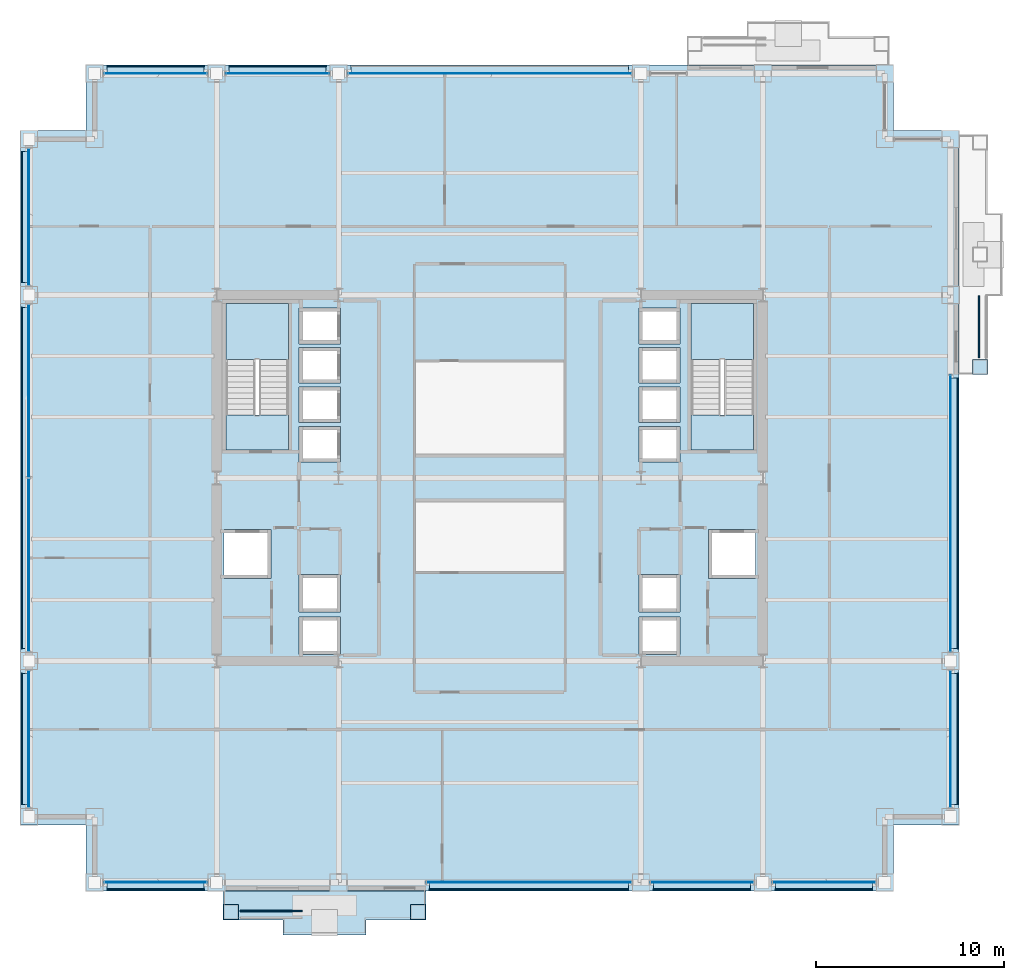
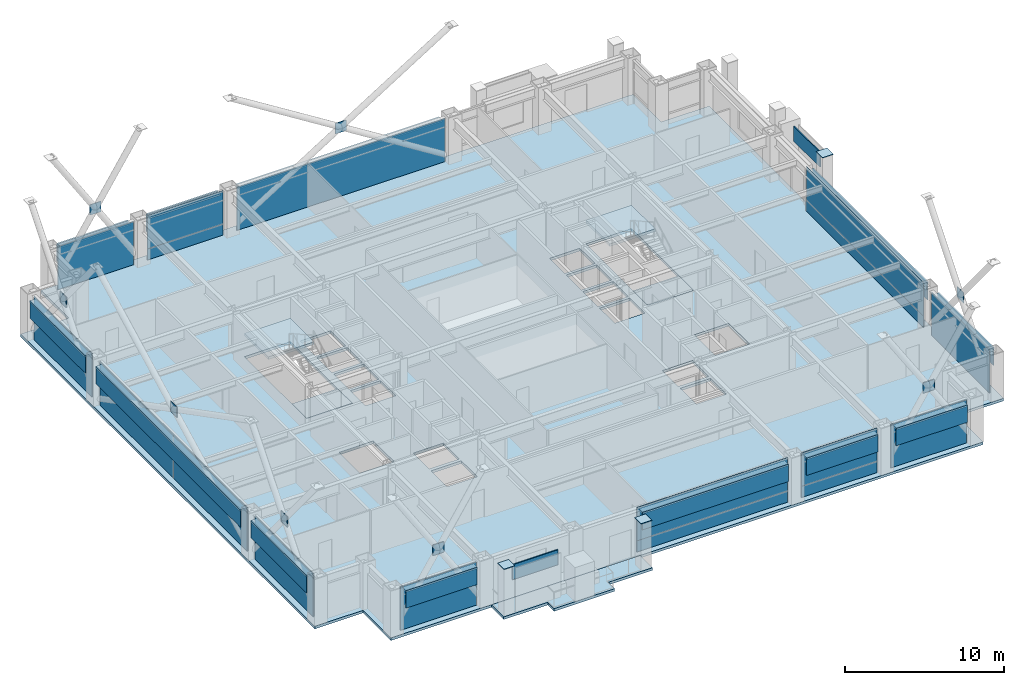
# One storey, part 25 of 33: 53 plates, 6 slabs, 14 elements without a shape of their own.
"""IFC4 building model written with IfcOpenShell, lengths in metres."""

from ifc_helpers import new_model, si_unit, direction, frame, origin, origin_2d, place, context, subcontext, project, spatial, polyline, rectangle, outline, extrude, material, layer, layer_set, type_object, element, aggregate, save


model = new_model("IFC4")

# Units and contexts
model_context = context("Model", 3, precision=1e-05, world=origin(), true_north=direction((0.0, 1.0)))
body_context = subcontext(model_context, "Body", "Model", "MODEL_VIEW")
ifc_project = project(units=[si_unit("LENGTHUNIT", "METRE"), si_unit("AREAUNIT", "SQUARE_METRE"), si_unit("VOLUMEUNIT", "CUBIC_METRE"), si_unit("PLANEANGLEUNIT", "RADIAN"), si_unit("MASSUNIT", "GRAM", prefix="KILO")], contexts=[model_context])

# Site, building, storey
site_placement = place(None, origin())
site = spatial("IfcSite", under=ifc_project, at=site_placement, CompositionType="ELEMENT")
building_placement = place(site_placement, origin())
building = spatial("IfcBuilding", under=site, at=building_placement, Name="Brelmoor Portico Tower", CompositionType="ELEMENT")
storey_placement = place(building_placement, frame((0.0, 0.0, 34.800048828125)))
storey = spatial("IfcBuildingStorey", under=building, at=storey_placement, Name="L08", CompositionType="ELEMENT", Elevation=34.800048828125)

# Plates
ifc_material_1 = material(Name="Steel Q355B", Category="steel")
ifc_layer_1 = layer(ifc_material_1, 0.044921875)
ifc_layer_set_1 = layer_set([ifc_layer_1], Name="Steel Q355B")
plate_type_1 = type_object("IfcPlateType", Name="PT-CAP-650", PredefinedType="SHEET", material=ifc_layer_set_1)
for number, where, z_axis, x_axis, name in (
    (1, (-13.780029296875, -23.1298828125, 3.599853515625), (0.0, 0.0, 1.0), (1.0, 0.0, 0.0), "L08 Proud Picture-Frame Pier PFJ-S1 Welded Head Cap Plate"),
    (2, (-3.820068359375, -23.1298828125, 3.599853515625), (0.0, 0.0, 1.0), (1.0, 0.0, 0.0), "L08 Proud Picture-Frame Pier PFJ-S2 Welded Head Cap Plate"),
    (3, (26.1298828125, 5.919921875, 3.599853515625), (0.0, 0.0, 1.0), (0.0, 1.0, 0.0), "L08 Proud Picture-Frame Pier PFJ-E1 Welded Head Cap Plate"),
):
    element("IfcPlate", number, at=place(storey_placement, frame(where, z_axis=z_axis, x_axis=x_axis)), inside=storey, type_object=plate_type_1, Name=name, PredefinedType="SHEET", context=body_context, shape_type="SweptSolid", body=[
        extrude(rectangle(XDim=0.7900390625, YDim=0.7900390625, at=origin_2d()), origin(), (0.0, 0.0, 1.0), 0.0400390625),
    ])

# Curtain wall, plate
ifc_material_2 = material(Name="Anodised Aluminium Alloy 6063-T6", Category="aluminium")
ifc_layer_2 = layer(ifc_material_2, 0.179931640625)
ifc_layer_set_2 = layer_set([ifc_layer_2], Name="Anodised Aluminium Alloy 6063-T6")
curtain_wall_type_1 = type_object("IfcCurtainWallType", Name="CW-TOWER-Z1", PredefinedType="NOTDEFINED", material=ifc_layer_set_2)
curtain_wall_1_placement = place(storey_placement, origin())
curtain_wall_1 = element("IfcCurtainWall", 4, at=curtain_wall_1_placement, inside=storey, type_object=curtain_wall_type_1, Name="L08 Curtain Wall CW-L08-1R-1", PredefinedType="NOTDEFINED")
ifc_material_3 = material(Name="Double-Silver Low-E Insulated Glazing", Category="glass")
ifc_layer_3 = layer(ifc_material_3, 0.035888671875)
ifc_layer_set_3 = layer_set([ifc_layer_3], Name="Double-Silver Low-E Insulated Glazing")
plate_type_2 = type_object("IfcPlateType", Name="PT-CW-GLASS", PredefinedType="CURTAIN_PANEL", material=ifc_layer_set_3)
plate_1_placement = place(storey_placement, frame((2.08251953125, -21.550048828125, 0.85009765625), z_axis=(0.0, 0.0, 1.0), x_axis=(1.0, 0.0, 0.0)))
plate_1 = element("IfcPlate", 5, at=plate_1_placement, type_object=plate_type_2, Name="CW-L08-1R-1 Vision Glass Panel 00", PredefinedType="CURTAIN_PANEL", context=body_context, shape_type="SweptSolid", body=[
    extrude(rectangle(XDim=10.93505859375, YDim=0.035888671875, at=origin_2d()), origin(), (0.0, 0.0, 1.0), 2.550048828125),
])

curtain_wall_2_placement = place(storey_placement, origin())
curtain_wall_2 = element("IfcCurtainWall", 6, at=curtain_wall_2_placement, inside=storey, type_object=curtain_wall_type_1, Name="L08 Curtain Wall CW-L08-1R-2", PredefinedType="NOTDEFINED")
plate_2_placement = place(storey_placement, frame((11.300048828125, -21.550048828125, 0.85009765625), z_axis=(0.0, 0.0, 1.0), x_axis=(1.0, 0.0, 0.0)))
plate_2 = element("IfcPlate", 7, at=plate_2_placement, type_object=plate_type_2, Name="CW-L08-1R-2 Vision Glass Panel 00", PredefinedType="CURTAIN_PANEL", context=body_context, shape_type="SweptSolid", body=[
    extrude(rectangle(XDim=5.5, YDim=0.035888671875, at=origin_2d()), origin(), (0.0, 0.0, 1.0), 2.550048828125),
])

curtain_wall_3_placement = place(storey_placement, origin())
curtain_wall_3 = element("IfcCurtainWall", 8, at=curtain_wall_3_placement, inside=storey, type_object=curtain_wall_type_1, Name="L08 Curtain Wall CW-L08-2L-2", PredefinedType="NOTDEFINED")
plate_3_placement = place(storey_placement, frame((-11.300048828125, 21.550048828125, 0.85009765625), z_axis=(0.0, 0.0, 1.0), x_axis=(1.0, 0.0, 0.0)))
plate_3 = element("IfcPlate", 9, at=plate_3_placement, type_object=plate_type_2, Name="CW-L08-2L-2 Vision Glass Panel 00", PredefinedType="CURTAIN_PANEL", context=body_context, shape_type="SweptSolid", body=[
    extrude(rectangle(XDim=5.5, YDim=0.035888671875, at=origin_2d()), origin(), (0.0, 0.0, 1.0), 2.550048828125),
])

curtain_wall_4_placement = place(storey_placement, origin())
curtain_wall_4 = element("IfcCurtainWall", 10, at=curtain_wall_4_placement, inside=storey, type_object=curtain_wall_type_1, Name="L08 Curtain Wall CW-L08-4L-2", PredefinedType="NOTDEFINED")
plate_4_placement = place(storey_placement, frame((24.550048828125, -1.882568359375, 0.85009765625), z_axis=(0.0, 0.0, 1.0), x_axis=(0.0, 1.0, 0.0)))
plate_4 = element("IfcPlate", 11, at=plate_4_placement, type_object=plate_type_2, Name="CW-L08-4L-2 Vision Glass Panel 00", PredefinedType="CURTAIN_PANEL", context=body_context, shape_type="SweptSolid", body=[
    extrude(rectangle(XDim=14.735107421875, YDim=0.035888671875, at=origin_2d()), origin(), (0.0, 0.0, 1.0), 2.550048828125),
])

ifc_layer_4 = layer(ifc_material_2, 0.179931640625)
ifc_layer_set_4 = layer_set([ifc_layer_4], Name="Anodised Aluminium Alloy 6063-T6")
curtain_wall_type_2 = type_object("IfcCurtainWallType", Name="CW-TOWER-Z1-XB", PredefinedType="NOTDEFINED", material=ifc_layer_set_4)
curtain_wall_5_placement = place(storey_placement, origin())
curtain_wall_5 = element("IfcCurtainWall", 12, at=curtain_wall_5_placement, inside=storey, type_object=curtain_wall_type_2, Name="L08 Curtain Wall CW-L08-1L", PredefinedType="NOTDEFINED")
ifc_material_4 = material(Name="Pale Champagne Anodised Aluminium Panel", Category="aluminium")
ifc_layer_5 = layer(ifc_material_4, 0.050048828125)
ifc_layer_set_5 = layer_set([ifc_layer_5], Name="Pale Champagne Anodised Aluminium Panel")
plate_type_3 = type_object("IfcPlateType", Name="PT-CW-SPANDREL", PredefinedType="SHEET", material=ifc_layer_set_5)
plate_5_placement = place(storey_placement, frame((-17.800048828125, -21.550048828125, 0.0), z_axis=(0.0, 0.0, 1.0), x_axis=(1.0, 0.0, 0.0)))
plate_5 = element("IfcPlate", 13, at=plate_5_placement, type_object=plate_type_3, Name="CW-L08-1L Spandrel Panel 00", PredefinedType="SHEET", context=body_context, shape_type="SweptSolid", body=[
    extrude(rectangle(XDim=5.5, YDim=0.050048828125, at=origin_2d()), origin(), (0.0, 0.0, 1.0), 3.330078125),
])
aggregate(curtain_wall_5, [plate_5])

# Plate
plate_6_placement = place(storey_placement, frame((2.08251953125, -21.550048828125, 0.0), z_axis=(0.0, 0.0, 1.0), x_axis=(1.0, 0.0, 0.0)))
plate_6 = element("IfcPlate", 14, at=plate_6_placement, type_object=plate_type_3, Name="CW-L08-1R-1 Spandrel Panel 00", PredefinedType="SHEET", context=body_context, shape_type="SweptSolid", body=[
    extrude(rectangle(XDim=10.93505859375, YDim=0.050048828125, at=origin_2d()), origin(), (0.0, 0.0, 1.0), 0.85009765625),
])

aggregate(curtain_wall_1, [plate_6, plate_1])

plate_7_placement = place(storey_placement, frame((11.300048828125, -21.550048828125, 0.0), z_axis=(0.0, 0.0, 1.0), x_axis=(1.0, 0.0, 0.0)))
plate_7 = element("IfcPlate", 15, at=plate_7_placement, type_object=plate_type_3, Name="CW-L08-1R-2 Spandrel Panel 00", PredefinedType="SHEET", context=body_context, shape_type="SweptSolid", body=[
    extrude(rectangle(XDim=5.5, YDim=0.050048828125, at=origin_2d()), origin(), (0.0, 0.0, 1.0), 0.85009765625),
])

aggregate(curtain_wall_2, [plate_7, plate_2])

# Curtain wall, plate
curtain_wall_6_placement = place(storey_placement, origin())
curtain_wall_6 = element("IfcCurtainWall", 16, at=curtain_wall_6_placement, inside=storey, type_object=curtain_wall_type_2, Name="L08 Curtain Wall CW-L08-1R-3", PredefinedType="NOTDEFINED")
plate_8_placement = place(storey_placement, frame((17.800048828125, -21.550048828125, 0.0), z_axis=(0.0, 0.0, 1.0), x_axis=(1.0, 0.0, 0.0)))
plate_8 = element("IfcPlate", 17, at=plate_8_placement, type_object=plate_type_3, Name="CW-L08-1R-3 Spandrel Panel 00", PredefinedType="SHEET", context=body_context, shape_type="SweptSolid", body=[
    extrude(rectangle(XDim=5.5, YDim=0.050048828125, at=origin_2d()), origin(), (0.0, 0.0, 1.0), 3.330078125),
])
aggregate(curtain_wall_6, [plate_8])

curtain_wall_7_placement = place(storey_placement, origin())
curtain_wall_7 = element("IfcCurtainWall", 18, at=curtain_wall_7_placement, inside=storey, type_object=curtain_wall_type_2, Name="L08 Curtain Wall CW-L08-2L-1", PredefinedType="NOTDEFINED")
plate_9_placement = place(storey_placement, frame((-17.800048828125, 21.550048828125, 0.0), z_axis=(0.0, 0.0, 1.0), x_axis=(1.0, 0.0, 0.0)))
plate_9 = element("IfcPlate", 19, at=plate_9_placement, type_object=plate_type_3, Name="CW-L08-2L-1 Spandrel Panel 00", PredefinedType="SHEET", context=body_context, shape_type="SweptSolid", body=[
    extrude(rectangle(XDim=5.5, YDim=0.050048828125, at=origin_2d()), origin(), (0.0, 0.0, 1.0), 3.330078125),
])
aggregate(curtain_wall_7, [plate_9])

# Plate
plate_10_placement = place(storey_placement, frame((-11.300048828125, 21.550048828125, 0.0), z_axis=(0.0, 0.0, 1.0), x_axis=(1.0, 0.0, 0.0)))
plate_10 = element("IfcPlate", 20, at=plate_10_placement, type_object=plate_type_3, Name="CW-L08-2L-2 Spandrel Panel 00", PredefinedType="SHEET", context=body_context, shape_type="SweptSolid", body=[
    extrude(rectangle(XDim=5.5, YDim=0.050048828125, at=origin_2d()), origin(), (0.0, 0.0, 1.0), 0.85009765625),
])

aggregate(curtain_wall_3, [plate_10, plate_3])

# Curtain wall, plate
curtain_wall_8_placement = place(storey_placement, origin())
curtain_wall_8 = element("IfcCurtainWall", 21, at=curtain_wall_8_placement, inside=storey, type_object=curtain_wall_type_2, Name="L08 Curtain Wall CW-L08-2L-3", PredefinedType="NOTDEFINED")
plate_11_placement = place(storey_placement, frame((0.0, 21.550048828125, 0.0), z_axis=(0.0, 0.0, 1.0), x_axis=(1.0, 0.0, 0.0)))
plate_11 = element("IfcPlate", 22, at=plate_11_placement, type_object=plate_type_3, Name="CW-L08-2L-3 Spandrel Panel 00", PredefinedType="SHEET", context=body_context, shape_type="SweptSolid", body=[
    extrude(rectangle(XDim=15.10009765625, YDim=0.050048828125, at=origin_2d()), origin(), (0.0, 0.0, 1.0), 3.330078125),
])
aggregate(curtain_wall_8, [plate_11])

curtain_wall_9_placement = place(storey_placement, origin())
curtain_wall_9 = element("IfcCurtainWall", 23, at=curtain_wall_9_placement, inside=storey, type_object=curtain_wall_type_2, Name="L08 Curtain Wall CW-L08-03-1", PredefinedType="NOTDEFINED")
plate_12_placement = place(storey_placement, frame((-24.550048828125, -13.89990234375, 0.0), z_axis=(0.0, 0.0, 1.0), x_axis=(0.0, 1.0, 0.0)))
plate_12 = element("IfcPlate", 24, at=plate_12_placement, type_object=plate_type_3, Name="CW-L08-03-1 Spandrel Panel 00", PredefinedType="SHEET", context=body_context, shape_type="SweptSolid", body=[
    extrude(rectangle(XDim=7.300048828125, YDim=0.050048828125, at=origin_2d()), origin(), (0.0, 0.0, 1.0), 3.330078125),
])
aggregate(curtain_wall_9, [plate_12])

# Curtain wall, plates
curtain_wall_10_placement = place(storey_placement, origin())
curtain_wall_10 = element("IfcCurtainWall", 25, at=curtain_wall_10_placement, inside=storey, type_object=curtain_wall_type_2, Name="L08 Curtain Wall CW-L08-03-2", PredefinedType="NOTDEFINED")
plate_13_placement = place(storey_placement, frame((-24.550048828125, -4.632568359375, 0.0), z_axis=(0.0, 0.0, 1.0), x_axis=(0.0, 1.0, 0.0)))
plate_13 = element("IfcPlate", 26, at=plate_13_placement, type_object=plate_type_3, Name="CW-L08-03-2 Spandrel Panel 00", PredefinedType="SHEET", context=body_context, shape_type="SweptSolid", body=[
    extrude(rectangle(XDim=9.235107421875, YDim=0.050048828125, at=origin_2d()), origin(), (0.0, 0.0, 1.0), 3.330078125),
])
plate_14_placement = place(storey_placement, frame((-24.550048828125, 4.632568359375, 0.0), z_axis=(0.0, 0.0, 1.0), x_axis=(0.0, 1.0, 0.0)))
plate_14 = element("IfcPlate", 27, at=plate_14_placement, type_object=plate_type_3, Name="CW-L08-03-2 Spandrel Panel 01", PredefinedType="SHEET", context=body_context, shape_type="SweptSolid", body=[
    extrude(rectangle(XDim=9.235107421875, YDim=0.050048828125, at=origin_2d()), origin(), (0.0, 0.0, 1.0), 3.330078125),
])
aggregate(curtain_wall_10, [plate_13, plate_14])

# Curtain wall, plate
curtain_wall_11_placement = place(storey_placement, origin())
curtain_wall_11 = element("IfcCurtainWall", 28, at=curtain_wall_11_placement, inside=storey, type_object=curtain_wall_type_2, Name="L08 Curtain Wall CW-L08-03-3", PredefinedType="NOTDEFINED")
plate_15_placement = place(storey_placement, frame((-24.550048828125, 13.89990234375, 0.0), z_axis=(0.0, 0.0, 1.0), x_axis=(0.0, 1.0, 0.0)))
plate_15 = element("IfcPlate", 29, at=plate_15_placement, type_object=plate_type_3, Name="CW-L08-03-3 Spandrel Panel 00", PredefinedType="SHEET", context=body_context, shape_type="SweptSolid", body=[
    extrude(rectangle(XDim=7.300048828125, YDim=0.050048828125, at=origin_2d()), origin(), (0.0, 0.0, 1.0), 3.330078125),
])
aggregate(curtain_wall_11, [plate_15])

curtain_wall_12_placement = place(storey_placement, origin())
curtain_wall_12 = element("IfcCurtainWall", 30, at=curtain_wall_12_placement, inside=storey, type_object=curtain_wall_type_2, Name="L08 Curtain Wall CW-L08-4L-1", PredefinedType="NOTDEFINED")
plate_16_placement = place(storey_placement, frame((24.550048828125, -13.89990234375, 0.0), z_axis=(0.0, 0.0, 1.0), x_axis=(0.0, 1.0, 0.0)))
plate_16 = element("IfcPlate", 31, at=plate_16_placement, type_object=plate_type_3, Name="CW-L08-4L-1 Spandrel Panel 00", PredefinedType="SHEET", context=body_context, shape_type="SweptSolid", body=[
    extrude(rectangle(XDim=7.300048828125, YDim=0.050048828125, at=origin_2d()), origin(), (0.0, 0.0, 1.0), 3.330078125),
])
aggregate(curtain_wall_12, [plate_16])

# Plate
plate_17_placement = place(storey_placement, frame((24.550048828125, -1.882568359375, 0.0), z_axis=(0.0, 0.0, 1.0), x_axis=(0.0, 1.0, 0.0)))
plate_17 = element("IfcPlate", 32, at=plate_17_placement, type_object=plate_type_3, Name="CW-L08-4L-2 Spandrel Panel 00", PredefinedType="SHEET", context=body_context, shape_type="SweptSolid", body=[
    extrude(rectangle(XDim=14.735107421875, YDim=0.050048828125, at=origin_2d()), origin(), (0.0, 0.0, 1.0), 0.85009765625),
])

aggregate(curtain_wall_4, [plate_17, plate_4])

# Plates
ifc_layer_6 = layer(ifc_material_1, 0.050048828125)
ifc_layer_set_6 = layer_set([ifc_layer_6], Name="Steel Q355B")
plate_type_4 = type_object("IfcPlateType", Name="PT-GUSSET-800", PredefinedType="USERDEFINED", material=ifc_layer_set_6)
for number, where, z_axis, x_axis, name in (
    (33, (-17.800048828125, -21.550048828125, 4.89990234375), (0.0, 0.0, 1.0), (1.0, 0.0, 0.0), "L08 Perimeter Mega-Brace Gusset 009"),
    (34, (17.800048828125, -21.550048828125, 4.89990234375), (0.0, 0.0, 1.0), (1.0, 0.0, 0.0), "L08 Perimeter Mega-Brace Gusset 010"),
    (35, (-17.800048828125, 21.550048828125, 4.89990234375), (0.0, 0.0, 1.0), (1.0, 0.0, 0.0), "L08 Perimeter Mega-Brace Gusset 011"),
    (36, (0.0, 21.550048828125, 4.89990234375), (0.0, 0.0, 1.0), (1.0, 0.0, 0.0), "L08 Perimeter Mega-Brace Gusset 012"),
):
    element("IfcPlate", number, at=place(storey_placement, frame(where, z_axis=z_axis, x_axis=x_axis)), inside=storey, type_object=plate_type_4, Name=name, ObjectType="GUSSET PLATE", PredefinedType="USERDEFINED", context=body_context, shape_type="SweptSolid", body=[
        extrude(rectangle(XDim=0.800048828125, YDim=0.050048828125, at=origin_2d()), origin(), (0.0, 0.0, 1.0), 0.800048828125),
    ])
for number, where, z_axis, x_axis, name in (
    (37, (-24.550048828125, -13.89990234375, 4.89990234375), (0.0, 0.0, 1.0), (1.0, 0.0, 0.0), "L08 Perimeter Mega-Brace Gusset 013"),
    (38, (-24.550048828125, 0.0, 4.89990234375), (0.0, 0.0, 1.0), (1.0, 0.0, 0.0), "L08 Perimeter Mega-Brace Gusset 014"),
    (39, (-24.550048828125, 13.89990234375, 4.89990234375), (0.0, 0.0, 1.0), (1.0, 0.0, 0.0), "L08 Perimeter Mega-Brace Gusset 015"),
    (40, (24.550048828125, -13.89990234375, 4.89990234375), (0.0, 0.0, 1.0), (1.0, 0.0, 0.0), "L08 Perimeter Mega-Brace Gusset 016"),
):
    element("IfcPlate", number, at=place(storey_placement, frame(where, z_axis=z_axis, x_axis=x_axis)), inside=storey, type_object=plate_type_4, Name=name, ObjectType="GUSSET PLATE", PredefinedType="USERDEFINED", context=body_context, shape_type="SweptSolid", body=[
        extrude(rectangle(XDim=0.050048828125, YDim=0.800048828125, at=origin_2d()), origin(), (0.0, 0.0, 1.0), 0.800048828125),
    ])
ifc_material_5 = material(Name="Powder-Coated Aluminium Shuttered Jalousie Louvre", Category="aluminium")
ifc_layer_7 = layer(ifc_material_5, 0.06005859375)
ifc_layer_set_7 = layer_set([ifc_layer_7], Name="Powder-Coated Aluminium Shuttered Jalousie Louvre")
plate_type_5 = type_object("IfcPlateType", Name="PT-JALOUSIE-SHUTTER", PredefinedType="SHEET", material=ifc_layer_set_7)
plate_18_placement = place(storey_placement, frame((-17.800048828125, -21.929931640625, 1.8740234375), z_axis=(0.0, 0.0, 1.0), x_axis=(1.0, 0.0, 0.0)))
element("IfcPlate", 41, at=plate_18_placement, inside=storey, type_object=plate_type_5, Name="CW-L08-1L Perforated Jalousie Solar Screen", PredefinedType="SHEET", context=body_context, shape_type="SweptSolid", body=[
    extrude(rectangle(XDim=5.169921875, YDim=0.06494140625, at=origin_2d()), origin(), (0.0, 0.0, 1.0), 1.325927734375),
])
plate_19_placement = place(storey_placement, frame((2.08251953125, -21.929931640625, 1.8740234375), z_axis=(0.0, 0.0, 1.0), x_axis=(1.0, 0.0, 0.0)))
element("IfcPlate", 42, at=plate_19_placement, inside=storey, type_object=plate_type_5, Name="CW-L08-1R-1 Perforated Jalousie Solar Screen", PredefinedType="SHEET", context=body_context, shape_type="SweptSolid", body=[
    extrude(rectangle(XDim=10.60498046875, YDim=0.06494140625, at=origin_2d()), origin(), (0.0, 0.0, 1.0), 1.325927734375),
])
for number, where, z_axis, x_axis, name in (
    (43, (11.300048828125, -21.929931640625, 1.8740234375), (0.0, 0.0, 1.0), (1.0, 0.0, 0.0), "CW-L08-1R-2 Perforated Jalousie Solar Screen"),
    (44, (17.800048828125, -21.929931640625, 1.8740234375), (0.0, 0.0, 1.0), (1.0, 0.0, 0.0), "CW-L08-1R-3 Perforated Jalousie Solar Screen"),
):
    element("IfcPlate", number, at=place(storey_placement, frame(where, z_axis=z_axis, x_axis=x_axis)), inside=storey, type_object=plate_type_5, Name=name, PredefinedType="SHEET", context=body_context, shape_type="SweptSolid", body=[
        extrude(rectangle(XDim=5.169921875, YDim=0.06494140625, at=origin_2d()), origin(), (0.0, 0.0, 1.0), 1.325927734375),
    ])
plate_20_placement = place(storey_placement, frame((-11.64990234375, -23.080078125, 2.27490234375), z_axis=(0.0, 0.0, 1.0), x_axis=(1.0, 0.0, 0.0)))
element("IfcPlate", 45, at=plate_20_placement, inside=storey, type_object=plate_type_5, Name="L08 Shuttered Veranda Screen S", PredefinedType="SHEET", context=body_context, shape_type="SweptSolid", body=[
    extrude(rectangle(XDim=3.300048828125, YDim=0.080078125, at=origin_2d()), origin(), (0.0, 0.0, 1.0), 1.14990234375),
])
for number, where, z_axis, x_axis, name in (
    (46, (-17.800048828125, 21.929931640625, 1.8740234375), (0.0, 0.0, 1.0), (1.0, 0.0, 0.0), "CW-L08-2L-1 Perforated Jalousie Solar Screen"),
    (47, (-11.300048828125, 21.929931640625, 1.8740234375), (0.0, 0.0, 1.0), (1.0, 0.0, 0.0), "CW-L08-2L-2 Perforated Jalousie Solar Screen"),
):
    element("IfcPlate", number, at=place(storey_placement, frame(where, z_axis=z_axis, x_axis=x_axis)), inside=storey, type_object=plate_type_5, Name=name, PredefinedType="SHEET", context=body_context, shape_type="SweptSolid", body=[
        extrude(rectangle(XDim=5.169921875, YDim=0.06494140625, at=origin_2d()), origin(), (0.0, 0.0, 1.0), 1.325927734375),
    ])
plate_21_placement = place(storey_placement, frame((-24.929931640625, -13.89990234375, 1.8740234375), z_axis=(0.0, 0.0, 1.0), x_axis=(0.0, 1.0, 0.0)))
element("IfcPlate", 48, at=plate_21_placement, inside=storey, type_object=plate_type_5, Name="CW-L08-03-1 Perforated Jalousie Solar Screen", PredefinedType="SHEET", context=body_context, shape_type="SweptSolid", body=[
    extrude(rectangle(XDim=6.969970703125, YDim=0.06494140625, at=origin_2d()), origin(), (0.0, 0.0, 1.0), 1.325927734375),
])
plate_22_placement = place(storey_placement, frame((-24.929931640625, 0.0, 1.8740234375), z_axis=(0.0, 0.0, 1.0), x_axis=(0.0, 1.0, 0.0)))
element("IfcPlate", 49, at=plate_22_placement, inside=storey, type_object=plate_type_5, Name="CW-L08-03-2 Perforated Jalousie Solar Screen", PredefinedType="SHEET", context=body_context, shape_type="SweptSolid", body=[
    extrude(rectangle(XDim=18.169921875, YDim=0.06494140625, at=origin_2d()), origin(), (0.0, 0.0, 1.0), 1.325927734375),
])
for number, where, z_axis, x_axis, name in (
    (50, (-24.929931640625, 13.89990234375, 1.8740234375), (0.0, 0.0, 1.0), (0.0, 1.0, 0.0), "CW-L08-03-3 Perforated Jalousie Solar Screen"),
    (51, (24.929931640625, -13.89990234375, 1.8740234375), (0.0, 0.0, 1.0), (0.0, 1.0, 0.0), "CW-L08-4L-1 Perforated Jalousie Solar Screen"),
):
    element("IfcPlate", number, at=place(storey_placement, frame(where, z_axis=z_axis, x_axis=x_axis)), inside=storey, type_object=plate_type_5, Name=name, PredefinedType="SHEET", context=body_context, shape_type="SweptSolid", body=[
        extrude(rectangle(XDim=6.969970703125, YDim=0.06494140625, at=origin_2d()), origin(), (0.0, 0.0, 1.0), 1.325927734375),
    ])
plate_23_placement = place(storey_placement, frame((24.929931640625, -1.882568359375, 1.8740234375), z_axis=(0.0, 0.0, 1.0), x_axis=(0.0, 1.0, 0.0)))
element("IfcPlate", 52, at=plate_23_placement, inside=storey, type_object=plate_type_5, Name="CW-L08-4L-2 Perforated Jalousie Solar Screen", PredefinedType="SHEET", context=body_context, shape_type="SweptSolid", body=[
    extrude(rectangle(XDim=14.405029296875, YDim=0.06494140625, at=origin_2d()), origin(), (0.0, 0.0, 1.0), 1.325927734375),
])
plate_24_placement = place(storey_placement, frame((26.080078125, 8.050048828125, 2.27490234375), z_axis=(0.0, 0.0, 1.0), x_axis=(0.0, 1.0, 0.0)))
element("IfcPlate", 53, at=plate_24_placement, inside=storey, type_object=plate_type_5, Name="L08 Shuttered Veranda Screen E", PredefinedType="SHEET", context=body_context, shape_type="SweptSolid", body=[
    extrude(rectangle(XDim=3.300048828125, YDim=0.080078125, at=origin_2d()), origin(), (0.0, 0.0, 1.0), 1.14990234375),
])
ifc_material_6 = material(Name="Pale Champagne Perforated Aluminium Solar Screen", Category="aluminium")
ifc_layer_8 = layer(ifc_material_6, 0.054931640625)
ifc_layer_set_8 = layer_set([ifc_layer_8], Name="Pale Champagne Perforated Aluminium Solar Screen")
plate_type_6 = type_object("IfcPlateType", Name="PT-SOLAR-LOUVRE", PredefinedType="SHEET", material=ifc_layer_set_8)
plate_25_placement = place(storey_placement, frame((-17.800048828125, -21.760009765625, 3.08984375), z_axis=(0.0, 0.0, 1.0), x_axis=(1.0, 0.0, 0.0)))
element("IfcPlate", 54, at=plate_25_placement, inside=storey, type_object=plate_type_6, Name="CW-L08-1L Caribbean Brise-Soleil Solar Screen", PredefinedType="SHEET", context=body_context, shape_type="SweptSolid", body=[
    extrude(rectangle(XDim=5.169921875, YDim=0.4599609375, at=origin_2d()), origin(), (0.0, 0.0, 1.0), 0.139892578125),
])
plate_26_placement = place(storey_placement, frame((2.08251953125, -21.760009765625, 3.08984375), z_axis=(0.0, 0.0, 1.0), x_axis=(1.0, 0.0, 0.0)))
element("IfcPlate", 55, at=plate_26_placement, inside=storey, type_object=plate_type_6, Name="CW-L08-1R-1 Caribbean Brise-Soleil Solar Screen", PredefinedType="SHEET", context=body_context, shape_type="SweptSolid", body=[
    extrude(rectangle(XDim=10.60498046875, YDim=0.4599609375, at=origin_2d()), origin(), (0.0, 0.0, 1.0), 0.139892578125),
])
for number, where, z_axis, x_axis, name in (
    (56, (11.300048828125, -21.760009765625, 3.08984375), (0.0, 0.0, 1.0), (1.0, 0.0, 0.0), "CW-L08-1R-2 Caribbean Brise-Soleil Solar Screen"),
    (57, (17.800048828125, -21.760009765625, 3.08984375), (0.0, 0.0, 1.0), (1.0, 0.0, 0.0), "CW-L08-1R-3 Caribbean Brise-Soleil Solar Screen"),
    (58, (-17.800048828125, 21.760009765625, 3.08984375), (0.0, 0.0, 1.0), (1.0, 0.0, 0.0), "CW-L08-2L-1 Caribbean Brise-Soleil Solar Screen"),
    (59, (-11.300048828125, 21.760009765625, 3.08984375), (0.0, 0.0, 1.0), (1.0, 0.0, 0.0), "CW-L08-2L-2 Caribbean Brise-Soleil Solar Screen"),
):
    element("IfcPlate", number, at=place(storey_placement, frame(where, z_axis=z_axis, x_axis=x_axis)), inside=storey, type_object=plate_type_6, Name=name, PredefinedType="SHEET", context=body_context, shape_type="SweptSolid", body=[
        extrude(rectangle(XDim=5.169921875, YDim=0.4599609375, at=origin_2d()), origin(), (0.0, 0.0, 1.0), 0.139892578125),
    ])
plate_27_placement = place(storey_placement, frame((0.0, 21.760009765625, 3.08984375), z_axis=(0.0, 0.0, 1.0), x_axis=(1.0, 0.0, 0.0)))
element("IfcPlate", 60, at=plate_27_placement, inside=storey, type_object=plate_type_6, Name="CW-L08-2L-3 Caribbean Brise-Soleil Solar Screen", PredefinedType="SHEET", context=body_context, shape_type="SweptSolid", body=[
    extrude(rectangle(XDim=14.77001953125, YDim=0.4599609375, at=origin_2d()), origin(), (0.0, 0.0, 1.0), 0.139892578125),
])
plate_28_placement = place(storey_placement, frame((-24.760009765625, -13.89990234375, 3.08984375), z_axis=(0.0, 0.0, 1.0), x_axis=(0.0, 1.0, 0.0)))
element("IfcPlate", 61, at=plate_28_placement, inside=storey, type_object=plate_type_6, Name="CW-L08-03-1 Caribbean Brise-Soleil Solar Screen", PredefinedType="SHEET", context=body_context, shape_type="SweptSolid", body=[
    extrude(rectangle(XDim=6.969970703125, YDim=0.4599609375, at=origin_2d()), origin(), (0.0, 0.0, 1.0), 0.139892578125),
])
plate_29_placement = place(storey_placement, frame((-24.760009765625, 0.0, 3.08984375), z_axis=(0.0, 0.0, 1.0), x_axis=(0.0, 1.0, 0.0)))
element("IfcPlate", 62, at=plate_29_placement, inside=storey, type_object=plate_type_6, Name="CW-L08-03-2 Caribbean Brise-Soleil Solar Screen", PredefinedType="SHEET", context=body_context, shape_type="SweptSolid", body=[
    extrude(rectangle(XDim=18.169921875, YDim=0.4599609375, at=origin_2d()), origin(), (0.0, 0.0, 1.0), 0.139892578125),
])
for number, where, z_axis, x_axis, name in (
    (63, (-24.760009765625, 13.89990234375, 3.08984375), (0.0, 0.0, 1.0), (0.0, 1.0, 0.0), "CW-L08-03-3 Caribbean Brise-Soleil Solar Screen"),
    (64, (24.760009765625, -13.89990234375, 3.08984375), (0.0, 0.0, 1.0), (0.0, 1.0, 0.0), "CW-L08-4L-1 Caribbean Brise-Soleil Solar Screen"),
):
    element("IfcPlate", number, at=place(storey_placement, frame(where, z_axis=z_axis, x_axis=x_axis)), inside=storey, type_object=plate_type_6, Name=name, PredefinedType="SHEET", context=body_context, shape_type="SweptSolid", body=[
        extrude(rectangle(XDim=6.969970703125, YDim=0.4599609375, at=origin_2d()), origin(), (0.0, 0.0, 1.0), 0.139892578125),
    ])
plate_30_placement = place(storey_placement, frame((24.760009765625, -1.882568359375, 3.08984375), z_axis=(0.0, 0.0, 1.0), x_axis=(0.0, 1.0, 0.0)))
element("IfcPlate", 65, at=plate_30_placement, inside=storey, type_object=plate_type_6, Name="CW-L08-4L-2 Caribbean Brise-Soleil Solar Screen", PredefinedType="SHEET", context=body_context, shape_type="SweptSolid", body=[
    extrude(rectangle(XDim=14.405029296875, YDim=0.4599609375, at=origin_2d()), origin(), (0.0, 0.0, 1.0), 0.139892578125),
])

# Slabs
ifc_material_7 = material(Name="Concrete C40", Category="concrete")
ifc_layer_9 = layer(ifc_material_7, 0.199951171875)
ifc_layer_set_9 = layer_set([ifc_layer_9], Name="Concrete C40")
slab_type_1 = type_object("IfcSlabType", Name="SL-BALCONY-200", PredefinedType="FLOOR", material=ifc_layer_set_9)
slab_1_placement = place(storey_placement, frame((0.0, 0.0, -0.199951171875)))
element("IfcSlab", 66, at=slab_1_placement, inside=storey, type_object=slab_type_1, Name="L08 Loggia Tree Balcony Slab S", PredefinedType="FLOOR", context=body_context, shape_type="SweptSolid", body=[
    extrude(outline(polyline([(-14.199951171875, -23.550048828125), (-11.0, -23.550048828125), (-11.0, -24.35009765625), (-6.60009765625, -24.35009765625), (-6.60009765625, -23.550048828125), (-3.39990234375, -23.550048828125), (-3.39990234375, -22.0), (-14.199951171875, -22.0), (-14.199951171875, -23.550048828125)])), origin(), (0.0, 0.0, 1.0), 0.199951171875),
])
ifc_layer_10 = layer(ifc_material_7, 0.199951171875)
ifc_layer_set_10 = layer_set([ifc_layer_10], Name="Concrete C40")
slab_type_2 = type_object("IfcSlabType", Name="SL-FLOOR-200", PredefinedType="FLOOR", material=ifc_layer_set_10)
slab_2_placement = place(storey_placement, frame((0.0, 0.0, -0.199951171875)))
element("IfcSlab", 67, at=slab_2_placement, inside=storey, type_object=slab_type_2, Name="L08 Main Structural Floor Slab", PredefinedType="FLOOR", context=body_context, shape_type="SweptSolid", body=[
    extrude(outline(polyline([(-21.5, -22.0), (21.5, -22.0), (21.5, -18.5), (25.0, -18.5), (25.0, 18.5), (21.5, 18.5), (21.5, 22.0), (-21.5, 22.0), (-21.5, 18.5), (-25.0, 18.5), (-25.0, -18.5), (-21.5, -18.5), (-21.5, -22.0)]), holes=[polyline([(-10.72998046875, 1.5), (-10.72998046875, 9.300048828125), (-14.050048828125, 9.300048828125), (-14.050048828125, 1.5), (-10.72998046875, 1.5)]), polyline([(14.050048828125, 1.5), (14.050048828125, 9.300048828125), (10.72998046875, 9.300048828125), (10.72998046875, 1.5), (14.050048828125, 1.5)]), polyline([(-10.14990234375, 0.85009765625), (-7.949951171875, 0.85009765625), (-7.949951171875, 2.75), (-10.14990234375, 2.75), (-10.14990234375, 0.85009765625)]), polyline([(-10.14990234375, 2.949951171875), (-7.949951171875, 2.949951171875), (-7.949951171875, 4.85009765625), (-10.14990234375, 4.85009765625), (-10.14990234375, 2.949951171875)]), polyline([(-10.14990234375, 5.050048828125), (-7.949951171875, 5.050048828125), (-7.949951171875, 6.949951171875), (-10.14990234375, 6.949951171875), (-10.14990234375, 5.050048828125)]), polyline([(-10.14990234375, 7.14990234375), (-7.949951171875, 7.14990234375), (-7.949951171875, 9.050048828125), (-10.14990234375, 9.050048828125), (-10.14990234375, 7.14990234375)]), polyline([(7.949951171875, 0.85009765625), (10.14990234375, 0.85009765625), (10.14990234375, 2.75), (7.949951171875, 2.75), (7.949951171875, 0.85009765625)]), polyline([(7.949951171875, 2.949951171875), (10.14990234375, 2.949951171875), (10.14990234375, 4.85009765625), (7.949951171875, 4.85009765625), (7.949951171875, 2.949951171875)]), polyline([(7.949951171875, 5.050048828125), (10.14990234375, 5.050048828125), (10.14990234375, 6.949951171875), (7.949951171875, 6.949951171875), (7.949951171875, 5.050048828125)]), polyline([(7.949951171875, 7.14990234375), (10.14990234375, 7.14990234375), (10.14990234375, 9.050048828125), (7.949951171875, 9.050048828125), (7.949951171875, 7.14990234375)]), polyline([(-10.14990234375, -9.39990234375), (-7.949951171875, -9.39990234375), (-7.949951171875, -7.39990234375), (-10.14990234375, -7.39990234375), (-10.14990234375, -9.39990234375)]), polyline([(-10.14990234375, -7.14990234375), (-7.949951171875, -7.14990234375), (-7.949951171875, -5.14990234375), (-10.14990234375, -5.14990234375), (-10.14990234375, -7.14990234375)]), polyline([(7.949951171875, -9.39990234375), (10.14990234375, -9.39990234375), (10.14990234375, -7.39990234375), (7.949951171875, -7.39990234375), (7.949951171875, -9.39990234375)]), polyline([(7.949951171875, -7.14990234375), (10.14990234375, -7.14990234375), (10.14990234375, -5.14990234375), (7.949951171875, -5.14990234375), (7.949951171875, -7.14990234375)]), polyline([(-14.14990234375, -5.35009765625), (-11.64990234375, -5.35009765625), (-11.64990234375, -2.75), (-14.14990234375, -2.75), (-14.14990234375, -5.35009765625)]), polyline([(11.64990234375, -5.35009765625), (14.14990234375, -5.35009765625), (14.14990234375, -2.75), (11.64990234375, -2.75), (11.64990234375, -5.35009765625)])]), origin(), (0.0, 0.0, 1.0), 0.199951171875),
])

# Stair, slab
stair_type_1 = type_object("IfcStairType", Name="ST-CORE-W", PredefinedType="HALF_TURN_STAIR", material=ifc_material_7)
stair_1_placement = place(storey_placement, origin())
stair_1 = element("IfcStair", 68, at=stair_1_placement, inside=storey, type_object=stair_type_1, Name="L08 Protected Core Exit Stair ST-W", PredefinedType="HALF_TURN_STAIR")
ifc_layer_11 = layer(ifc_material_7, 0.179931640625)
ifc_layer_set_11 = layer_set([ifc_layer_11], Name="Concrete C40")
slab_type_3 = type_object("IfcSlabType", Name="SL-LANDING-180", PredefinedType="LANDING", material=ifc_layer_set_11)
slab_3_placement = place(storey_placement, frame((0.0, 0.0, 1.599853515625)))
slab_3 = element("IfcSlab", 69, at=slab_3_placement, type_object=slab_type_3, Name="ST-W landing 1", PredefinedType="LANDING", context=body_context, shape_type="SweptSolid", body=[
    extrude(outline(polyline([(-10.72998046875, 6.300048828125), (-10.72998046875, 9.300048828125), (-14.050048828125, 9.300048828125), (-14.050048828125, 6.300048828125), (-10.72998046875, 6.300048828125)])), origin(), (0.0, 0.0, 1.0), 0.2001953125),
])
aggregate(stair_1, [slab_3])

stair_type_2 = type_object("IfcStairType", Name="ST-CORE-E", PredefinedType="HALF_TURN_STAIR", material=ifc_material_7)
stair_2_placement = place(storey_placement, origin())
stair_2 = element("IfcStair", 70, at=stair_2_placement, inside=storey, type_object=stair_type_2, Name="L08 Protected Core Exit Stair ST-E", PredefinedType="HALF_TURN_STAIR")
slab_4_placement = place(storey_placement, frame((0.0, 0.0, 1.599853515625)))
slab_4 = element("IfcSlab", 71, at=slab_4_placement, type_object=slab_type_3, Name="ST-E landing 1", PredefinedType="LANDING", context=body_context, shape_type="SweptSolid", body=[
    extrude(outline(polyline([(14.050048828125, 6.300048828125), (14.050048828125, 9.300048828125), (10.72998046875, 9.300048828125), (10.72998046875, 6.300048828125), (14.050048828125, 6.300048828125)])), origin(), (0.0, 0.0, 1.0), 0.2001953125),
])
aggregate(stair_2, [slab_4])

# Slabs
ifc_layer_12 = layer(ifc_material_7, 0.199951171875)
ifc_layer_set_12 = layer_set([ifc_layer_12], Name="Concrete C40")
slab_type_4 = type_object("IfcSlabType", Name="SL-STAIR-FL200", PredefinedType="LANDING", material=ifc_layer_set_12)
slab_5_placement = place(storey_placement, frame((0.0, 0.0, -0.199951171875)))
element("IfcSlab", 72, at=slab_5_placement, inside=storey, type_object=slab_type_4, Name="L08 ST-W Structural Floor Landing Slab", PredefinedType="LANDING", context=body_context, shape_type="SweptSolid", body=[
    extrude(outline(polyline([(-10.72998046875, 1.5), (-10.72998046875, 3.35009765625), (-14.050048828125, 3.35009765625), (-14.050048828125, 1.5), (-10.72998046875, 1.5)])), origin(), (0.0, 0.0, 1.0), 0.199951171875),
])
slab_6_placement = place(storey_placement, frame((0.0, 0.0, -0.199951171875)))
element("IfcSlab", 73, at=slab_6_placement, inside=storey, type_object=slab_type_4, Name="L08 ST-E Structural Floor Landing Slab", PredefinedType="LANDING", context=body_context, shape_type="SweptSolid", body=[
    extrude(outline(polyline([(14.050048828125, 1.5), (14.050048828125, 3.35009765625), (10.72998046875, 3.35009765625), (10.72998046875, 1.5), (14.050048828125, 1.5)])), origin(), (0.0, 0.0, 1.0), 0.199951171875),
])

save(model, "model.ifc")
